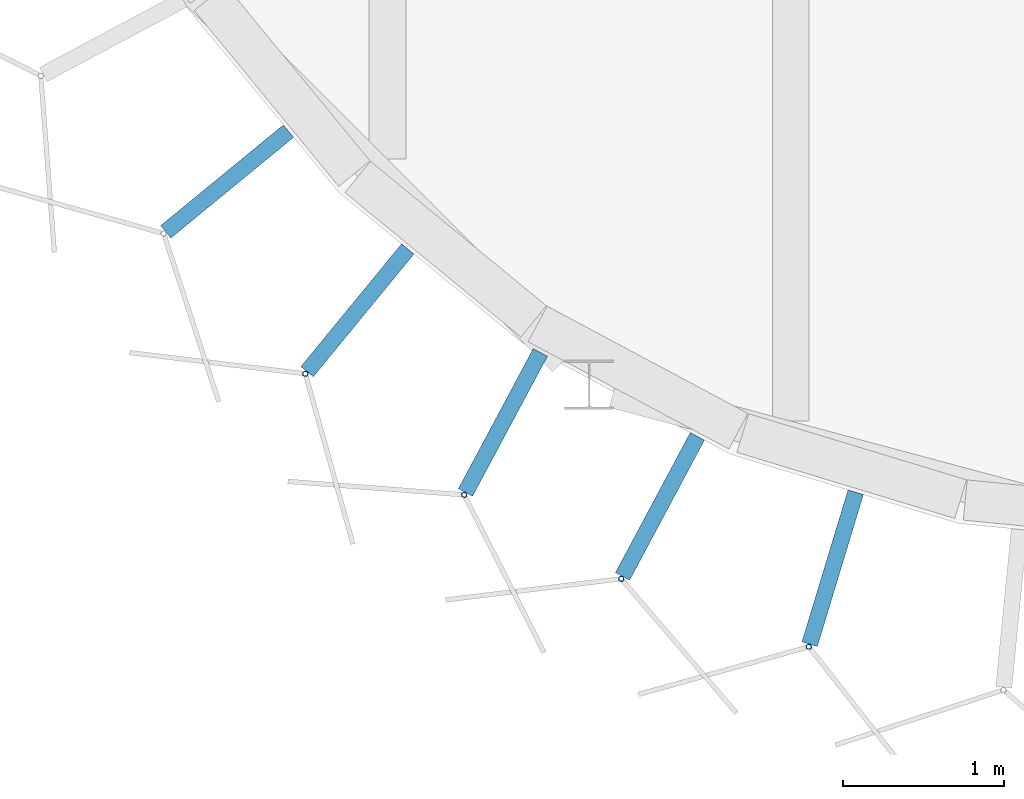
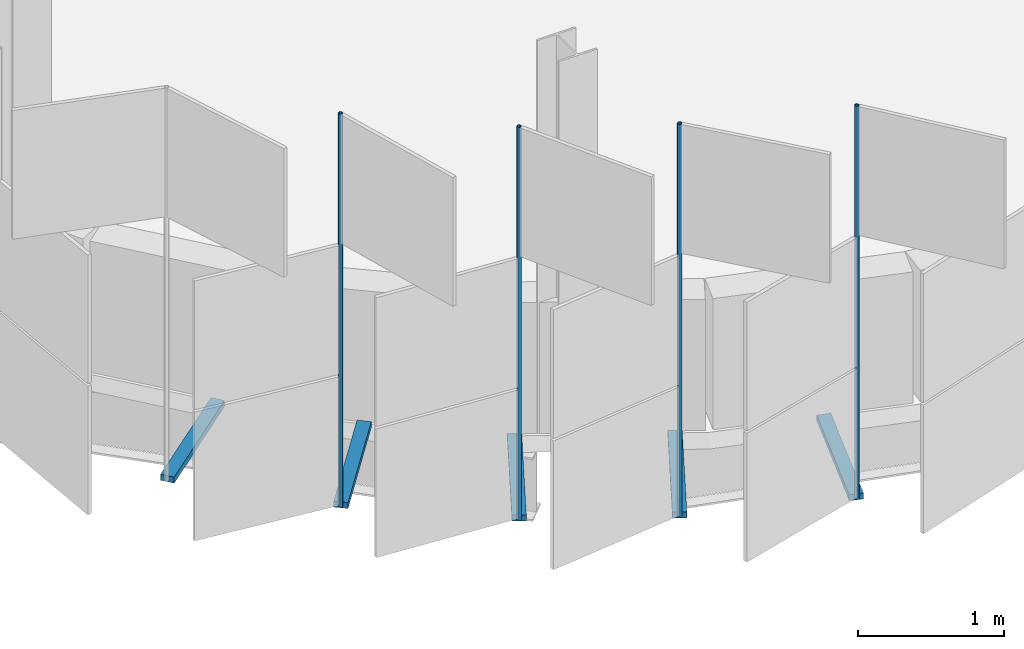
# One storey, part 64 of 198: 9 discrete accessories.
"""IFC4 building model written with IfcOpenShell, lengths in metres."""

from ifc_helpers import new_model, si_unit, direction, frame, origin, origin_2d, place, context, subcontext, project, spatial, rectangle, hollow_circle, extrude, material, material_profile, profile_set, type_object, element, save


model = new_model("IFC4")

# Units and contexts
model_context = context("Model", 3, precision=1e-05, world=origin(), true_north=direction((0.0, 1.0)))
body_context = subcontext(model_context, "Body", "Model", "MODEL_VIEW")
ifc_project = project(units=[si_unit("LENGTHUNIT", "METRE"), si_unit("AREAUNIT", "SQUARE_METRE"), si_unit("VOLUMEUNIT", "CUBIC_METRE"), si_unit("PLANEANGLEUNIT", "RADIAN"), si_unit("MASSUNIT", "GRAM", prefix="KILO")], contexts=[model_context])

# Site, building, storey
site_placement = place(None, origin())
site = spatial("IfcSite", under=ifc_project, at=site_placement, CompositionType="ELEMENT")
building_placement = place(site_placement, origin())
building = spatial("IfcBuilding", under=site, at=building_placement, Name="Parallax Yard Mobility Hub", CompositionType="ELEMENT")
storey_placement = place(building_placement, frame((0.0, 0.0, 6.60009765625)))
storey = spatial("IfcBuildingStorey", under=building, at=storey_placement, Name="L02", CompositionType="ELEMENT", Elevation=6.60009765625)

# Discrete accessories
ifc_material_1 = material(Name="Steel ASTM A36, hot-dip galvanised", Category="steel")
discrete_accessory_type_1 = type_object("IfcDiscreteAccessoryType", Name="Hinge bracket plate 100x50", PredefinedType="BRACKET", material=ifc_material_1)
for number, where, z_axis, x_axis, name in (
    (1, (24.006103515625, 114.76318359375, -0.02490234375), (0.0, 0.0, 1.0), (-0.773010453363, -0.634393284164, 0.0), "Hinge bracket plate bay 72.6 level L02"),
    (2, (24.813720703125, 113.964599609375, -0.02490234375), (0.0, 0.0, 1.0), (-0.634393284164, -0.773010453363, 0.0), "Hinge bracket plate bay 72.7 level L02"),
    (3, (25.715576171875, 113.26953125, -0.02490234375), (0.0, 0.0, 1.0), (-0.471396736826, -0.881921264348, 0.0), "Hinge bracket plate bay 72.8 level L02"),
    (4, (26.688720703125, 112.749267578125, -0.02490234375), (0.0, 0.0, 1.0), (-0.471396736826, -0.881921264348, 0.0), "Hinge bracket plate bay 72.9 level L02"),
    (5, (27.759521484375, 112.3662109375, -0.02490234375), (0.0, 0.0, 1.0), (-0.290284677254, -0.956940335732, 0.0), "Hinge bracket plate bay 72.10 level L02"),
):
    element("IfcDiscreteAccessory", number, at=place(storey_placement, frame(where, z_axis=z_axis, x_axis=x_axis)), inside=storey, type_object=discrete_accessory_type_1, Name=name, PredefinedType="BRACKET", context=body_context, shape_type="SweptSolid", body=[
        extrude(rectangle(XDim=0.984130859375, YDim=0.10009765625, at=origin_2d()), origin(), (0.0, 0.0, 1.0), 0.050048828125),
    ])
ifc_material_2 = material(Name="Steel ASTM A500 Gr C, hot-dip galvanised", Category="steel")
ifc_material_profile = material_profile(ifc_material_2, hollow_circle(Radius=0.016845703125, WallThickness=0.003173828125, at=origin_2d()), Name="CHS 33.7x3.2")
ifc_profile_set = profile_set([ifc_material_profile], Name="Steel ASTM A500 Gr C, hot-dip galvanised")
discrete_accessory_type_2 = type_object("IfcDiscreteAccessoryType", Name="Hinge post CHS 33.7x3.2", PredefinedType="BRACKET", material=ifc_profile_set)
for number, where, z_axis, x_axis, name in (
    (6, (24.4912109375, 113.571533203125, 0.0), (0.0, 0.0, 1.0), (1.0, 0.0, 0.0), "Hinge post bay 72.7 level L02"),
    (7, (25.475830078125, 112.821044921875, 0.0), (0.0, 0.0, 1.0), (1.0, 0.0, 0.0), "Hinge post bay 72.8 level L02"),
    (8, (26.44921875, 112.30078125, 0.0), (0.0, 0.0, 1.0), (1.0, 0.0, 0.0), "Hinge post bay 72.9 level L02"),
    (9, (27.61181640625, 111.879638671875, 0.0), (0.0, 0.0, 1.0), (1.0, 0.0, 0.0), "Hinge post bay 72.10 level L02"),
):
    element("IfcDiscreteAccessory", number, at=place(storey_placement, frame(where, z_axis=z_axis, x_axis=x_axis)), inside=storey, type_object=discrete_accessory_type_2, Name=name, PredefinedType="BRACKET", context=body_context, shape_type="SweptSolid", body=[
        extrude(hollow_circle(Radius=0.016845703125, WallThickness=0.003173828125, at=origin_2d()), origin(), (0.0, 0.0, 1.0), 3.2998046875),
    ])

save(model, "model.ifc")
